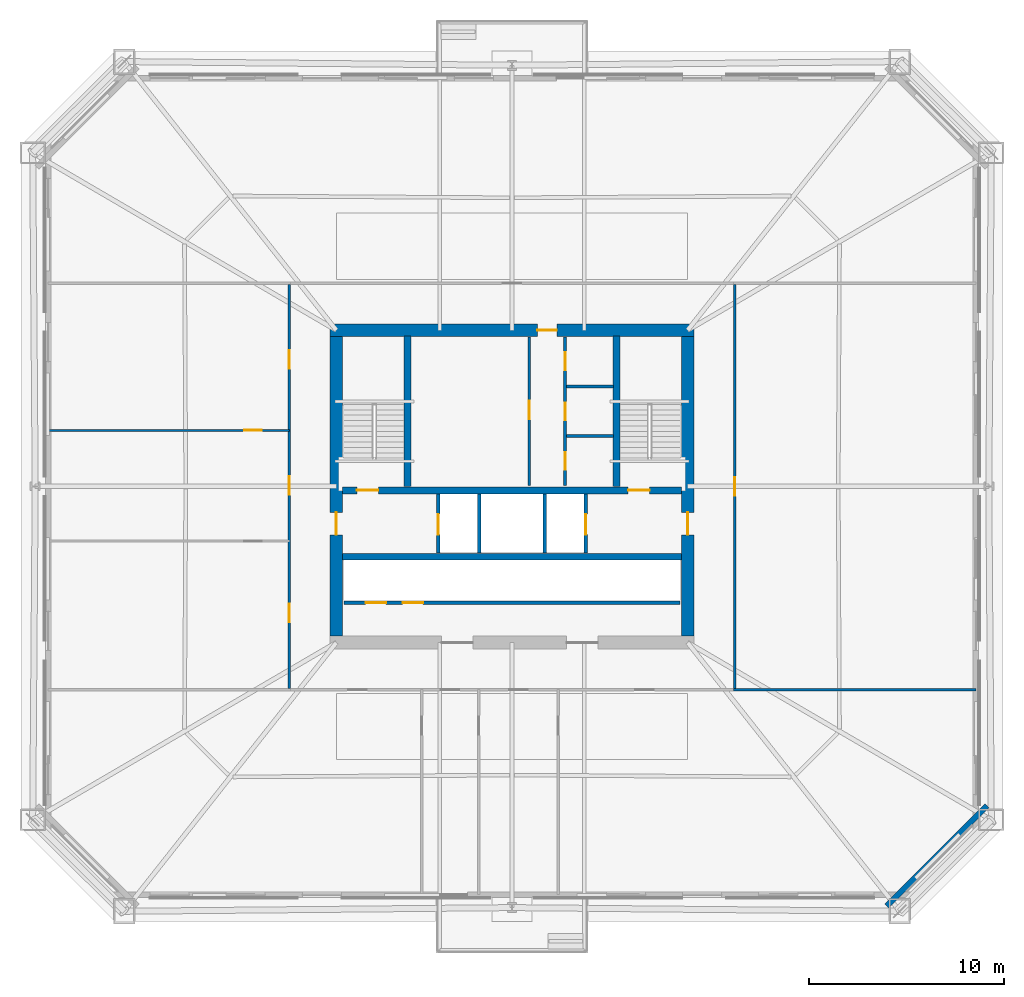
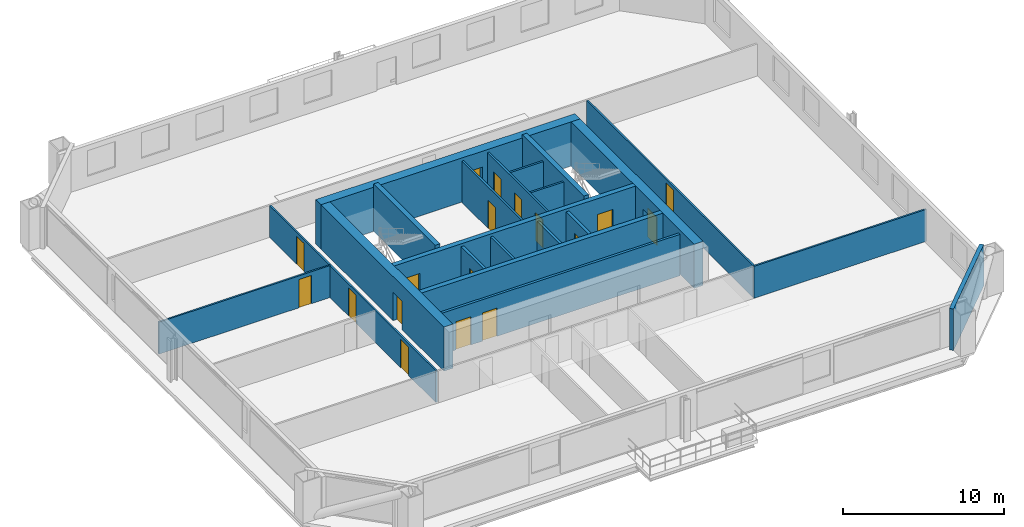
# One storey, part 4 of 8: 21 walls, 18 doors, 18 openings.
"""IFC4 building model written with IfcOpenShell, lengths in metres."""

from ifc_helpers import new_model, si_unit, direction, frame, frame_2d, origin, place, context, subcontext, project, spatial, rectangle, extrude, material, layer, layer_set, type_object, element, fill, save


model = new_model("IFC4")

# Units and contexts
model_context = context("Model", 3, precision=1e-05, world=origin(), true_north=direction((0.0, 1.0)))
body_context = subcontext(model_context, "Body", "Model", "MODEL_VIEW")
ifc_project = project(units=[si_unit("LENGTHUNIT", "METRE"), si_unit("AREAUNIT", "SQUARE_METRE"), si_unit("VOLUMEUNIT", "CUBIC_METRE"), si_unit("PLANEANGLEUNIT", "RADIAN"), si_unit("MASSUNIT", "GRAM", prefix="KILO")], contexts=[model_context])

# Site, building, storey
site_placement = place(None, origin())
site = spatial("IfcSite", under=ifc_project, at=site_placement, CompositionType="ELEMENT")
building_placement = place(site_placement, origin())
building = spatial("IfcBuilding", under=site, at=building_placement, Name="Caelvoria Tower", CompositionType="ELEMENT")
storey_placement = place(building_placement, frame((0.0, 0.0, 42.39990234375)))
storey = spatial("IfcBuildingStorey", under=building, at=storey_placement, Name="L10", CompositionType="ELEMENT", Elevation=42.39990234375)

# Wall, openings, doors
ifc_material_1 = material(Name="Concrete C50/60", Category="concrete")
ifc_layer_1 = layer(ifc_material_1, 0.35009765625, Name="Concrete C50/60")
ifc_layer_set_1 = layer_set([ifc_layer_1], Name="Core Internal Shear Wall 350 - Concrete C50/60")
wall_type_1 = type_object("IfcWallType", Name="Core Internal Shear Wall 350", PredefinedType="SHEAR", material=ifc_layer_set_1)
wall_1_placement = place(storey_placement, frame((37.324951171875, 31.800048828125, 0.0), z_axis=(0.0, 0.0, 1.0), x_axis=(1.0, 0.0, 0.0)))
wall_1 = element("IfcWall", 1, at=wall_1_placement, inside=storey, type_object=wall_type_1, Name="Core Shear Wall L10 M1", PredefinedType="SHEAR", context=body_context, shape_type="SweptSolid", body=[
    extrude(rectangle(XDim=17.35009765625, YDim=0.35009765625, at=frame_2d((8.675048828125, 0.0))), origin(), (0.0, 0.0, 1.0), 3.360107421875),
])
opening_1_placement = place(wall_1_placement, frame((0.72509765625, 0.0, 0.0)))
opening_1 = element("IfcOpeningElement", 2, at=opening_1_placement, cuts=wall_1, Name="Opening ID-01", PredefinedType="OPENING", context=body_context, shape_type="SweptSolid", body=[
    extrude(rectangle(XDim=1.10009765625, YDim=2.14990234375, at=frame_2d((0.550048828125, 1.074951171875))), frame((0.0, 0.18505859375, 0.0), z_axis=(0.0, -1.0, 0.0), x_axis=(1.0, 0.0, 0.0)), (0.0, 0.0, 1.0), 0.3701171875),
])
opening_2_placement = place(wall_1_placement, frame((14.625, 0.0, 0.0)))
opening_2 = element("IfcOpeningElement", 3, at=opening_2_placement, cuts=wall_1, Name="Opening ID-01", PredefinedType="OPENING", context=body_context, shape_type="SweptSolid", body=[
    extrude(rectangle(XDim=1.10009765625, YDim=2.14990234375, at=frame_2d((0.550048828125, 1.074951171875))), frame((0.0, 0.18505859375, 0.0), z_axis=(0.0, -1.0, 0.0), x_axis=(1.0, 0.0, 0.0)), (0.0, 0.0, 1.0), 0.3701171875),
])
ifc_material_2 = material(Name="Painted Hollow Steel Fire Door", Category="steel")
door_type_1 = type_object("IfcDoorType", Name="Fire Door FD90S 1100x2150", OperationType="NOTDEFINED", PredefinedType="DOOR", material=ifc_material_2)
door_1_placement = place(opening_1_placement, origin())
door_1 = element("IfcDoor", 4, at=door_1_placement, inside=storey, type_object=door_type_1, Name="Core Door DR-L10-ST1", OperationType="SINGLE_SWING_LEFT", OverallHeight=2.14990234375, OverallWidth=1.10009765625, PredefinedType="DOOR", context=body_context, shape_type="SweptSolid", body=[
    extrude(rectangle(XDim=1.10009765625, YDim=2.14990234375, at=frame_2d((0.550048828125, 1.074951171875))), frame((0.0, 0.02490234375, 0.0), z_axis=(0.0, -1.0, 0.0), x_axis=(1.0, 0.0, 0.0)), (0.0, 0.0, 1.0), 0.050048828125),
])
fill(opening_1, door_1)
door_2_placement = place(opening_2_placement, origin())
door_2 = element("IfcDoor", 5, at=door_2_placement, inside=storey, type_object=door_type_1, Name="Core Door DR-L10-ST2", OperationType="SINGLE_SWING_RIGHT", OverallHeight=2.14990234375, OverallWidth=1.10009765625, PredefinedType="DOOR", context=body_context, shape_type="SweptSolid", body=[
    extrude(rectangle(XDim=1.10009765625, YDim=2.14990234375, at=frame_2d((0.550048828125, 1.074951171875))), frame((0.0, 0.02490234375, 0.0), z_axis=(0.0, -1.0, 0.0), x_axis=(1.0, 0.0, 0.0)), (0.0, 0.0, 1.0), 0.050048828125),
])
fill(opening_2, door_2)

# Walls
wall_2_placement = place(storey_placement, frame((37.324951171875, 28.39990234375, 0.0), z_axis=(0.0, 0.0, 1.0), x_axis=(1.0, 0.0, 0.0)))
element("IfcWall", 6, at=wall_2_placement, inside=storey, type_object=wall_type_1, Name="Core Shear Wall L10 M2", PredefinedType="SHEAR", context=body_context, shape_type="SweptSolid", body=[
    extrude(rectangle(XDim=17.35009765625, YDim=0.35009765625, at=frame_2d((8.675048828125, 0.0))), origin(), (0.0, 0.0, 1.0), 3.360107421875),
])
for number, where, z_axis, x_axis, name in (
    (7, (40.64990234375, 32.0, 0.0), (0.0, 0.0, 1.0), (0.0, 1.0, 0.0), "Interior Partition IW-L10-ST1E"),
    (8, (51.35009765625, 32.0, 0.0), (0.0, 0.0, 1.0), (0.0, 1.0, 0.0), "Interior Partition IW-L10-ST2W"),
):
    element("IfcWall", number, at=place(storey_placement, frame(where, z_axis=z_axis, x_axis=x_axis)), inside=storey, type_object=wall_type_1, Name=name, PredefinedType="SHEAR", context=body_context, shape_type="SweptSolid", body=[
        extrude(rectangle(XDim=7.699951171875, YDim=0.35009765625, at=frame_2d((3.85009765625, 0.0))), origin(), (0.0, 0.0, 1.0), 3.60009765625),
    ])

# Wall, opening, door
ifc_material_3 = material(Name="Moisture-Resistant Gypsum on Steel Stud", Category="steel")
ifc_layer_2 = layer(ifc_material_3, 0.139892578125, Name="Moisture-Resistant Gypsum on Steel Stud")
ifc_layer_set_2 = layer_set([ifc_layer_2], Name="Core Sanitary Acoustic Partition Wall 140 - Moisture-Resistant Gypsum on Steel Stud")
wall_type_2 = type_object("IfcWallType", Name="Core Sanitary Acoustic Partition Wall 140", PredefinedType="PARTITIONING", material=ifc_layer_set_2)
wall_3_placement = place(storey_placement, frame((46.8798828125, 32.050048828125, 0.0), z_axis=(0.0, 0.0, 1.0), x_axis=(0.0, 1.0, 0.0)))
wall_3 = element("IfcWall", 9, at=wall_3_placement, inside=storey, type_object=wall_type_2, Name="Interior Partition IW-L10-C2L", PredefinedType="PARTITIONING", context=body_context, shape_type="SweptSolid", body=[
    extrude(rectangle(XDim=7.599853515625, YDim=0.139892578125, at=frame_2d((3.7998046875, 0.0))), origin(), (0.0, 0.0, 1.0), 3.150146484375),
])
opening_3_placement = place(wall_3_placement, frame((3.39990234375, 0.0, 0.0)))
opening_3 = element("IfcOpeningElement", 10, at=opening_3_placement, cuts=wall_3, Name="Opening ID-05", PredefinedType="OPENING", context=body_context, shape_type="SweptSolid", body=[
    extrude(rectangle(XDim=0.949951171875, YDim=2.14990234375, at=frame_2d((0.47509765625, 1.074951171875))), frame((0.0, 0.079833984375, 0.0), z_axis=(0.0, -1.0, 0.0), x_axis=(1.0, 0.0, 0.0)), (0.0, 0.0, 1.0), 0.159912109375),
])
ifc_material_4 = material(Name="Engineered Andean Oak Veneer Door", Category="wood")
door_type_2 = type_object("IfcDoorType", Name="Interior Timber Door 950x2150", OperationType="NOTDEFINED", PredefinedType="DOOR", material=ifc_material_4)
door_3_placement = place(opening_3_placement, origin())
door_3 = element("IfcDoor", 11, at=door_3_placement, inside=storey, type_object=door_type_2, Name="Interior Door DR-L10-C2W", OperationType="SINGLE_SWING_LEFT", OverallHeight=2.14990234375, OverallWidth=0.949951171875, PredefinedType="DOOR", context=body_context, shape_type="SweptSolid", body=[
    extrude(rectangle(XDim=0.949951171875, YDim=2.14990234375, at=frame_2d((0.47509765625, 1.074951171875))), frame((0.0, 0.02490234375, 0.0), z_axis=(0.0, -1.0, 0.0), x_axis=(1.0, 0.0, 0.0)), (0.0, 0.0, 1.0), 0.050048828125),
])
fill(opening_3, door_3)

# Wall, openings, doors
wall_4_placement = place(storey_placement, frame((48.719970703125, 32.050048828125, 0.0), z_axis=(0.0, 0.0, 1.0), x_axis=(0.0, 1.0, 0.0)))
wall_4 = element("IfcWall", 12, at=wall_4_placement, inside=storey, type_object=wall_type_2, Name="Interior Partition IW-L10-C2R", PredefinedType="PARTITIONING", context=body_context, shape_type="SweptSolid", body=[
    extrude(rectangle(XDim=7.599853515625, YDim=0.139892578125, at=frame_2d((3.7998046875, 0.0))), origin(), (0.0, 0.0, 1.0), 3.150146484375),
])
opening_4_placement = place(wall_4_placement, frame((0.800048828125, 0.0, 0.0)))
opening_4 = element("IfcOpeningElement", 13, at=opening_4_placement, cuts=wall_4, Name="Opening ID-04", PredefinedType="OPENING", context=body_context, shape_type="SweptSolid", body=[
    extrude(rectangle(XDim=0.89990234375, YDim=2.14990234375, at=frame_2d((0.449951171875, 1.074951171875))), frame((0.0, 0.079833984375, 0.0), z_axis=(0.0, -1.0, 0.0), x_axis=(1.0, 0.0, 0.0)), (0.0, 0.0, 1.0), 0.159912109375),
])
opening_5_placement = place(wall_4_placement, frame((3.35009765625, 0.0, 0.0)))
opening_5 = element("IfcOpeningElement", 14, at=opening_5_placement, cuts=wall_4, Name="Opening ID-06", PredefinedType="OPENING", context=body_context, shape_type="SweptSolid", body=[
    extrude(rectangle(XDim=0.89990234375, YDim=2.14990234375, at=frame_2d((0.449951171875, 1.074951171875))), frame((0.0, 0.079833984375, 0.0), z_axis=(0.0, -1.0, 0.0), x_axis=(1.0, 0.0, 0.0)), (0.0, 0.0, 1.0), 0.159912109375),
])
opening_6_placement = place(wall_4_placement, frame((5.89990234375, 0.0, 0.0)))
opening_6 = element("IfcOpeningElement", 15, at=opening_6_placement, cuts=wall_4, Name="Opening ID-07", PredefinedType="OPENING", context=body_context, shape_type="SweptSolid", body=[
    extrude(rectangle(XDim=0.919921875, YDim=2.14990234375, at=frame_2d((0.4599609375, 1.074951171875))), frame((0.0, 0.079833984375, 0.0), z_axis=(0.0, -1.0, 0.0), x_axis=(1.0, 0.0, 0.0)), (0.0, 0.0, 1.0), 0.159912109375),
])
ifc_material_5 = material(Name="Engineered Andean Oak Accessible Door", Category="wood")
door_type_3 = type_object("IfcDoorType", Name="Accessible WC Door 950x2150", OperationType="NOTDEFINED", PredefinedType="DOOR", material=ifc_material_5)
door_4_placement = place(opening_6_placement, origin())
door_4 = element("IfcDoor", 16, at=door_4_placement, inside=storey, type_object=door_type_3, Name="Interior Door DR-L10-C2E3", OperationType="SINGLE_SWING_RIGHT", OverallHeight=2.14990234375, OverallWidth=0.919921875, PredefinedType="DOOR", context=body_context, shape_type="SweptSolid", body=[
    extrude(rectangle(XDim=0.919921875, YDim=2.14990234375, at=frame_2d((0.4599609375, 1.074951171875))), frame((0.0, 0.02490234375, 0.0), z_axis=(0.0, -1.0, 0.0), x_axis=(1.0, 0.0, 0.0)), (0.0, 0.0, 1.0), 0.050048828125),
])
fill(opening_6, door_4)
ifc_material_6 = material(Name="Acoustic Timber Fire Door", Category="wood")
door_type_4 = type_object("IfcDoorType", Name="Fire Door FD30S 900x2150", OperationType="NOTDEFINED", PredefinedType="DOOR", material=ifc_material_6)
door_5_placement = place(opening_4_placement, origin())
door_5 = element("IfcDoor", 17, at=door_5_placement, inside=storey, type_object=door_type_4, Name="Interior Door DR-L10-C2E1", OperationType="SINGLE_SWING_RIGHT", OverallHeight=2.14990234375, OverallWidth=0.89990234375, PredefinedType="DOOR", context=body_context, shape_type="SweptSolid", body=[
    extrude(rectangle(XDim=0.89990234375, YDim=2.14990234375, at=frame_2d((0.449951171875, 1.074951171875))), frame((0.0, 0.02490234375, 0.0), z_axis=(0.0, -1.0, 0.0), x_axis=(1.0, 0.0, 0.0)), (0.0, 0.0, 1.0), 0.050048828125),
])
fill(opening_4, door_5)
door_type_5 = type_object("IfcDoorType", Name="Interior Timber Door 900x2150", OperationType="NOTDEFINED", PredefinedType="DOOR", material=ifc_material_4)
door_6_placement = place(opening_5_placement, origin())
door_6 = element("IfcDoor", 18, at=door_6_placement, inside=storey, type_object=door_type_5, Name="Interior Door DR-L10-C2E2", OperationType="SINGLE_SWING_LEFT", OverallHeight=2.14990234375, OverallWidth=0.89990234375, PredefinedType="DOOR", context=body_context, shape_type="SweptSolid", body=[
    extrude(rectangle(XDim=0.89990234375, YDim=2.14990234375, at=frame_2d((0.449951171875, 1.074951171875))), frame((0.0, 0.02490234375, 0.0), z_axis=(0.0, -1.0, 0.0), x_axis=(1.0, 0.0, 0.0)), (0.0, 0.0, 1.0), 0.050048828125),
])
fill(opening_5, door_6)

# Walls
for number, where, z_axis, x_axis, name in (
    (19, (48.800048828125, 34.580078125, 0.0), (0.0, 0.0, 1.0), (1.0, 0.0, 0.0), "Interior Partition IW-L10-C2H1"),
    (20, (48.800048828125, 37.1201171875, 0.0), (0.0, 0.0, 1.0), (1.0, 0.0, 0.0), "Interior Partition IW-L10-C2H2"),
):
    element("IfcWall", number, at=place(storey_placement, frame(where, z_axis=z_axis, x_axis=x_axis)), inside=storey, type_object=wall_type_2, Name=name, PredefinedType="PARTITIONING", context=body_context, shape_type="SweptSolid", body=[
        extrude(rectangle(XDim=2.39990234375, YDim=0.139892578125, at=frame_2d((1.199951171875, 0.0))), origin(), (0.0, 0.0, 1.0), 3.150146484375),
    ])
ifc_material_7 = material(Name="Precast Concrete C40/50 with Bronze Cladding", Category="concrete")
ifc_layer_3 = layer(ifc_material_7, 0.280029296875, Name="Precast Concrete C40/50 with Bronze Cladding")
ifc_layer_set_3 = layer_set([ifc_layer_3], Name="Exterior Precast Concrete C40/50 Bronze-Clad Facade Wall 280 - Precast Concrete C40/50 with Bronze Cladding")
wall_type_3 = type_object("IfcWallType", Name="Exterior Precast Concrete C40/50 Bronze-Clad Facade Wall 280", PredefinedType="STANDARD", material=ifc_layer_set_3)
wall_5_placement = place(storey_placement, frame((65.20458984375, 10.506103515625, 0.0), z_axis=(0.0, 0.0, 1.0), x_axis=(0.707106781187, 0.707106781187, 0.0)))
element("IfcWall", 21, at=wall_5_placement, inside=storey, type_object=wall_type_3, Name="Exterior Facade Wall L10-E1", PredefinedType="STANDARD", context=body_context, shape_type="SweptSolid", body=[
    extrude(rectangle(XDim=7.268310546875, YDim=0.280029296875, at=frame_2d((3.63427734375, 0.0))), origin(), (0.0, 0.0, 1.0), 3.150146484375),
])
ifc_material_8 = material(Name="Concrete Block and Fireboard Assembly", Category="concrete")
ifc_layer_4 = layer(ifc_material_8, 0.179931640625, Name="Concrete Block and Fireboard Assembly")
ifc_layer_set_4 = layer_set([ifc_layer_4], Name="Fire-Rated Hoistway Partition Wall 180 - Concrete Block and Fireboard Assembly")
wall_type_4 = type_object("IfcWallType", Name="Fire-Rated Hoistway Partition Wall 180", PredefinedType="PARTITIONING", material=ifc_layer_set_4)
for number, where, z_axis, x_axis, name in (
    (22, (44.320068359375, 28.580078125, 0.0), (0.0, 0.0, 1.0), (0.0, 1.0, 0.0), "Interior Partition IW-L10-SV1W"),
    (23, (47.679931640625, 28.580078125, 0.0), (0.0, 0.0, 1.0), (0.0, 1.0, 0.0), "Interior Partition IW-L10-SV1E"),
):
    element("IfcWall", number, at=place(storey_placement, frame(where, z_axis=z_axis, x_axis=x_axis)), inside=storey, type_object=wall_type_4, Name=name, PredefinedType="PARTITIONING", context=body_context, shape_type="SweptSolid", body=[
        extrude(rectangle(XDim=3.0400390625, YDim=0.179931640625, at=frame_2d((1.52001953125, 0.0))), origin(), (0.0, 0.0, 1.0), 3.150146484375),
    ])

# Wall, openings, doors
wall_6_placement = place(storey_placement, frame((37.39990234375, 26.050048828125, 0.0), z_axis=(0.0, 0.0, 1.0), x_axis=(1.0, 0.0, 0.0)))
wall_6 = element("IfcWall", 24, at=wall_6_placement, inside=storey, type_object=wall_type_4, Name="Interior Partition IW-L10-LFRONT", PredefinedType="PARTITIONING", context=body_context, shape_type="SweptSolid", body=[
    extrude(rectangle(XDim=17.2001953125, YDim=0.179931640625, at=frame_2d((8.60009765625, 0.0))), origin(), (0.0, 0.0, 1.0), 3.150146484375),
])
opening_7_placement = place(wall_6_placement, frame((1.10009765625, 0.0, 0.0)))
opening_7 = element("IfcOpeningElement", 25, at=opening_7_placement, cuts=wall_6, Name="Opening LD-01", PredefinedType="OPENING", context=body_context, shape_type="SweptSolid", body=[
    extrude(rectangle(XDim=1.050048828125, YDim=2.14990234375, at=frame_2d((0.52490234375, 1.074951171875))), frame((0.0, 0.099853515625, 0.0), z_axis=(0.0, -1.0, 0.0), x_axis=(1.0, 0.0, 0.0)), (0.0, 0.0, 1.0), 0.199951171875),
])
opening_8_placement = place(wall_6_placement, frame((3.0, 0.0, 0.0)))
opening_8 = element("IfcOpeningElement", 26, at=opening_8_placement, cuts=wall_6, Name="Opening LD-01", PredefinedType="OPENING", context=body_context, shape_type="SweptSolid", body=[
    extrude(rectangle(XDim=1.050048828125, YDim=2.14990234375, at=frame_2d((0.52490234375, 1.074951171875))), frame((0.0, 0.099853515625, 0.0), z_axis=(0.0, -1.0, 0.0), x_axis=(1.0, 0.0, 0.0)), (0.0, 0.0, 1.0), 0.199951171875),
])
ifc_material_9 = material(Name="Brushed Bronze Stainless Sliding Landing Door", Category="aluminium")
door_type_6 = type_object("IfcDoorType", Name="Lift Landing Sliding Door 1100x2150", OperationType="NOTDEFINED", PredefinedType="DOOR", material=ifc_material_9)
door_7_placement = place(opening_7_placement, origin())
door_7 = element("IfcDoor", 27, at=door_7_placement, inside=storey, type_object=door_type_6, Name="Interior Door LD-L10-PL1", OperationType="SLIDING_TO_LEFT", OverallHeight=2.14990234375, OverallWidth=1.050048828125, PredefinedType="DOOR", context=body_context, shape_type="SweptSolid", body=[
    extrude(rectangle(XDim=1.050048828125, YDim=2.14990234375, at=frame_2d((0.52490234375, 1.074951171875))), frame((0.0, 0.02490234375, 0.0), z_axis=(0.0, -1.0, 0.0), x_axis=(1.0, 0.0, 0.0)), (0.0, 0.0, 1.0), 0.050048828125),
])
fill(opening_7, door_7)
door_8_placement = place(opening_8_placement, origin())
door_8 = element("IfcDoor", 28, at=door_8_placement, inside=storey, type_object=door_type_6, Name="Interior Door LD-L10-PL2", OperationType="SLIDING_TO_RIGHT", OverallHeight=2.14990234375, OverallWidth=1.050048828125, PredefinedType="DOOR", context=body_context, shape_type="SweptSolid", body=[
    extrude(rectangle(XDim=1.050048828125, YDim=2.14990234375, at=frame_2d((0.52490234375, 1.074951171875))), frame((0.0, 0.02490234375, 0.0), z_axis=(0.0, -1.0, 0.0), x_axis=(1.0, 0.0, 0.0)), (0.0, 0.0, 1.0), 0.050048828125),
])
fill(opening_8, door_8)

# Wall, opening, door
ifc_layer_5 = layer(ifc_material_8, 0.199951171875, Name="Concrete Block and Fireboard Assembly")
ifc_layer_set_5 = layer_set([ifc_layer_5], Name="Fire-Rated Shaft and Core Partition Wall 200 - Concrete Block and Fireboard Assembly")
wall_type_5 = type_object("IfcWallType", Name="Fire-Rated Shaft and Core Partition Wall 200", PredefinedType="PARTITIONING", material=ifc_layer_set_5)
wall_7_placement = place(storey_placement, frame((42.219970703125, 28.580078125, 0.0), z_axis=(0.0, 0.0, 1.0), x_axis=(0.0, 1.0, 0.0)))
wall_7 = element("IfcWall", 29, at=wall_7_placement, inside=storey, type_object=wall_type_5, Name="Interior Partition IW-L10-LF1W", PredefinedType="PARTITIONING", context=body_context, shape_type="SweptSolid", body=[
    extrude(rectangle(XDim=3.0400390625, YDim=0.199951171875, at=frame_2d((1.52001953125, 0.0))), origin(), (0.0, 0.0, 1.0), 3.150146484375),
])
opening_9_placement = place(wall_7_placement, frame((0.949951171875, 0.0, 0.0)))
opening_9 = element("IfcOpeningElement", 30, at=opening_9_placement, cuts=wall_7, Name="Opening LD-01", PredefinedType="OPENING", context=body_context, shape_type="SweptSolid", body=[
    extrude(rectangle(XDim=1.050048828125, YDim=2.14990234375, at=frame_2d((0.52490234375, 1.074951171875))), frame((0.0, 0.10986328125, 0.0), z_axis=(0.0, -1.0, 0.0), x_axis=(1.0, 0.0, 0.0)), (0.0, 0.0, 1.0), 0.219970703125),
])
door_9_placement = place(opening_9_placement, origin())
door_9 = element("IfcDoor", 31, at=door_9_placement, inside=storey, type_object=door_type_6, Name="Interior Door LD-L10-LF1", OperationType="SLIDING_TO_LEFT", OverallHeight=2.14990234375, OverallWidth=1.050048828125, PredefinedType="DOOR", context=body_context, shape_type="SweptSolid", body=[
    extrude(rectangle(XDim=1.050048828125, YDim=2.14990234375, at=frame_2d((0.52490234375, 1.074951171875))), frame((0.0, 0.02490234375, 0.0), z_axis=(0.0, -1.0, 0.0), x_axis=(1.0, 0.0, 0.0)), (0.0, 0.0, 1.0), 0.050048828125),
])
fill(opening_9, door_9)

wall_8_placement = place(storey_placement, frame((49.780029296875, 28.580078125, 0.0), z_axis=(0.0, 0.0, 1.0), x_axis=(0.0, 1.0, 0.0)))
wall_8 = element("IfcWall", 32, at=wall_8_placement, inside=storey, type_object=wall_type_5, Name="Interior Partition IW-L10-LF2E", PredefinedType="PARTITIONING", context=body_context, shape_type="SweptSolid", body=[
    extrude(rectangle(XDim=3.0400390625, YDim=0.199951171875, at=frame_2d((1.52001953125, 0.0))), origin(), (0.0, 0.0, 1.0), 3.150146484375),
])
opening_10_placement = place(wall_8_placement, frame((0.949951171875, 0.0, 0.0)))
opening_10 = element("IfcOpeningElement", 33, at=opening_10_placement, cuts=wall_8, Name="Opening LD-01", PredefinedType="OPENING", context=body_context, shape_type="SweptSolid", body=[
    extrude(rectangle(XDim=1.050048828125, YDim=2.14990234375, at=frame_2d((0.52490234375, 1.074951171875))), frame((0.0, 0.10986328125, 0.0), z_axis=(0.0, -1.0, 0.0), x_axis=(1.0, 0.0, 0.0)), (0.0, 0.0, 1.0), 0.219970703125),
])
door_10_placement = place(opening_10_placement, origin())
door_10 = element("IfcDoor", 34, at=door_10_placement, inside=storey, type_object=door_type_6, Name="Interior Door LD-L10-LF2", OperationType="SLIDING_TO_RIGHT", OverallHeight=2.14990234375, OverallWidth=1.050048828125, PredefinedType="DOOR", context=body_context, shape_type="SweptSolid", body=[
    extrude(rectangle(XDim=1.050048828125, YDim=2.14990234375, at=frame_2d((0.52490234375, 1.074951171875))), frame((0.0, 0.02490234375, 0.0), z_axis=(0.0, -1.0, 0.0), x_axis=(1.0, 0.0, 0.0)), (0.0, 0.0, 1.0), 0.050048828125),
])
fill(opening_10, door_10)

ifc_material_10 = material(Name="Concrete C60/75", Category="concrete")
ifc_layer_6 = layer(ifc_material_10, 0.64990234375, Name="Concrete C60/75")
ifc_layer_set_6 = layer_set([ifc_layer_6], Name="Lower Core Shear Wall 650 - Concrete C60/75")
wall_type_6 = type_object("IfcWallType", Name="Lower Core Shear Wall 650", PredefinedType="SHEAR", material=ifc_layer_set_6)
wall_9_placement = place(storey_placement, frame((36.675048828125, 40.0, 0.0), z_axis=(0.0, 0.0, 1.0), x_axis=(1.0, 0.0, 0.0)))
wall_9 = element("IfcWall", 35, at=wall_9_placement, inside=storey, type_object=wall_type_6, Name="Core Shear Wall L10 N", PredefinedType="SHEAR", context=body_context, shape_type="SweptSolid", body=[
    extrude(rectangle(XDim=18.64990234375, YDim=0.64990234375, at=frame_2d((9.324951171875, 0.0))), origin(), (0.0, 0.0, 1.0), 3.360107421875),
])
opening_11_placement = place(wall_9_placement, frame((10.625, 0.0, 0.0)))
opening_11 = element("IfcOpeningElement", 36, at=opening_11_placement, cuts=wall_9, Name="Opening ID-03", PredefinedType="OPENING", context=body_context, shape_type="SweptSolid", body=[
    extrude(rectangle(XDim=1.0, YDim=2.14990234375, at=frame_2d((0.5, 1.074951171875))), frame((0.0, 0.3349609375, 0.0), z_axis=(0.0, -1.0, 0.0), x_axis=(1.0, 0.0, 0.0)), (0.0, 0.0, 1.0), 0.669921875),
])
door_type_7 = type_object("IfcDoorType", Name="Fire Door FD60S 1000x2150", OperationType="NOTDEFINED", PredefinedType="DOOR", material=ifc_material_2)
door_11_placement = place(opening_11_placement, origin())
door_11 = element("IfcDoor", 37, at=door_11_placement, inside=storey, type_object=door_type_7, Name="Core Door DR-L10-WC-MAIN", OperationType="SINGLE_SWING_RIGHT", OverallHeight=2.14990234375, OverallWidth=1.0, PredefinedType="DOOR", context=body_context, shape_type="SweptSolid", body=[
    extrude(rectangle(XDim=1.0, YDim=2.14990234375, at=frame_2d((0.5, 1.074951171875))), frame((0.0, 0.02490234375, 0.0), z_axis=(0.0, -1.0, 0.0), x_axis=(1.0, 0.0, 0.0)), (0.0, 0.0, 1.0), 0.050048828125),
])
fill(opening_11, door_11)

wall_10_placement = place(storey_placement, frame((37.0, 24.324951171875, 0.0), z_axis=(0.0, 0.0, 1.0), x_axis=(0.0, 1.0, 0.0)))
wall_10 = element("IfcWall", 38, at=wall_10_placement, inside=storey, type_object=wall_type_6, Name="Core Shear Wall L10 W", PredefinedType="SHEAR", context=body_context, shape_type="SweptSolid", body=[
    extrude(rectangle(XDim=15.35009765625, YDim=0.64990234375, at=frame_2d((7.675048828125, 0.0))), origin(), (0.0, 0.0, 1.0), 3.360107421875),
])
opening_12_placement = place(wall_10_placement, frame((5.199951171875, 0.0, 0.0)))
opening_12 = element("IfcOpeningElement", 39, at=opening_12_placement, cuts=wall_10, Name="Opening ID-02", PredefinedType="OPENING", context=body_context, shape_type="SweptSolid", body=[
    extrude(rectangle(XDim=1.14990234375, YDim=2.14990234375, at=frame_2d((0.574951171875, 1.074951171875))), frame((0.0, 0.3349609375, 0.0), z_axis=(0.0, -1.0, 0.0), x_axis=(1.0, 0.0, 0.0)), (0.0, 0.0, 1.0), 0.669921875),
])
door_type_8 = type_object("IfcDoorType", Name="Fire Door FD60S 1150x2150", OperationType="NOTDEFINED", PredefinedType="DOOR", material=ifc_material_2)
door_12_placement = place(opening_12_placement, origin())
door_12 = element("IfcDoor", 40, at=door_12_placement, inside=storey, type_object=door_type_8, Name="Core Door DR-L10-FFLW-OUT", OperationType="SINGLE_SWING_LEFT", OverallHeight=2.14990234375, OverallWidth=1.14990234375, PredefinedType="DOOR", context=body_context, shape_type="SweptSolid", body=[
    extrude(rectangle(XDim=1.14990234375, YDim=2.14990234375, at=frame_2d((0.574951171875, 1.074951171875))), frame((0.0, 0.02490234375, 0.0), z_axis=(0.0, -1.0, 0.0), x_axis=(1.0, 0.0, 0.0)), (0.0, 0.0, 1.0), 0.050048828125),
])
fill(opening_12, door_12)

wall_11_placement = place(storey_placement, frame((55.0, 24.324951171875, 0.0), z_axis=(0.0, 0.0, 1.0), x_axis=(0.0, 1.0, 0.0)))
wall_11 = element("IfcWall", 41, at=wall_11_placement, inside=storey, type_object=wall_type_6, Name="Core Shear Wall L10 E", PredefinedType="SHEAR", context=body_context, shape_type="SweptSolid", body=[
    extrude(rectangle(XDim=15.35009765625, YDim=0.64990234375, at=frame_2d((7.675048828125, 0.0))), origin(), (0.0, 0.0, 1.0), 3.360107421875),
])
opening_13_placement = place(wall_11_placement, frame((5.199951171875, 0.0, 0.0)))
opening_13 = element("IfcOpeningElement", 42, at=opening_13_placement, cuts=wall_11, Name="Opening ID-02", PredefinedType="OPENING", context=body_context, shape_type="SweptSolid", body=[
    extrude(rectangle(XDim=1.14990234375, YDim=2.14990234375, at=frame_2d((0.574951171875, 1.074951171875))), frame((0.0, 0.3349609375, 0.0), z_axis=(0.0, -1.0, 0.0), x_axis=(1.0, 0.0, 0.0)), (0.0, 0.0, 1.0), 0.669921875),
])
door_13_placement = place(opening_13_placement, origin())
door_13 = element("IfcDoor", 43, at=door_13_placement, inside=storey, type_object=door_type_8, Name="Core Door DR-L10-FFLE-OUT", OperationType="SINGLE_SWING_RIGHT", OverallHeight=2.14990234375, OverallWidth=1.14990234375, PredefinedType="DOOR", context=body_context, shape_type="SweptSolid", body=[
    extrude(rectangle(XDim=1.14990234375, YDim=2.14990234375, at=frame_2d((0.574951171875, 1.074951171875))), frame((0.0, 0.02490234375, 0.0), z_axis=(0.0, -1.0, 0.0), x_axis=(1.0, 0.0, 0.0)), (0.0, 0.0, 1.0), 0.050048828125),
])
fill(opening_13, door_13)

ifc_material_11 = material(Name="Acoustic Gypsum Board on Light-Gauge Stud", Category="gypsum")
ifc_layer_7 = layer(ifc_material_11, 0.1201171875, Name="Acoustic Gypsum Board on Light-Gauge Stud")
ifc_layer_set_7 = layer_set([ifc_layer_7], Name="Tenant Suite Acoustic Partition Wall 120 - Acoustic Gypsum Board on Light-Gauge Stud")
wall_type_7 = type_object("IfcWallType", Name="Tenant Suite Acoustic Partition Wall 120", PredefinedType="PARTITIONING", material=ifc_layer_set_7)
wall_12_placement = place(storey_placement, frame((34.590087890625, 34.87060546875, 0.0), z_axis=(0.0, 0.0, 1.0), x_axis=(-1.0, 0.0, 0.0)))
wall_12 = element("IfcWall", 44, at=wall_12_placement, inside=storey, type_object=wall_type_7, Name="Interior Partition IW-L10-WD-01-0", PredefinedType="PARTITIONING", context=body_context, shape_type="SweptSolid", body=[
    extrude(rectangle(XDim=12.360107421875, YDim=0.1201171875, at=frame_2d((6.18017578125, 0.0))), origin(), (0.0, 0.0, 1.0), 2.43017578125),
])
opening_14_placement = place(wall_12_placement, frame((1.39990234375, 0.0, 0.0)))
opening_14 = element("IfcOpeningElement", 45, at=opening_14_placement, cuts=wall_12, Name="Opening ID-06", PredefinedType="OPENING", context=body_context, shape_type="SweptSolid", body=[
    extrude(rectangle(XDim=0.89990234375, YDim=2.14990234375, at=frame_2d((0.449951171875, 1.074951171875))), frame((0.0, 0.070068359375, 0.0), z_axis=(0.0, -1.0, 0.0), x_axis=(1.0, 0.0, 0.0)), (0.0, 0.0, 1.0), 0.14013671875),
])
door_14_placement = place(opening_14_placement, origin())
door_14 = element("IfcDoor", 46, at=door_14_placement, inside=storey, type_object=door_type_5, Name="Interior Door DR-L10-WM-01-0", OperationType="SINGLE_SWING_LEFT", OverallHeight=2.14990234375, OverallWidth=0.89990234375, PredefinedType="DOOR", context=body_context, shape_type="SweptSolid", body=[
    extrude(rectangle(XDim=0.89990234375, YDim=2.14990234375, at=frame_2d((0.449951171875, 1.074951171875))), frame((0.0, 0.02490234375, 0.0), z_axis=(0.0, -1.0, 0.0), x_axis=(1.0, 0.0, 0.0)), (0.0, 0.0, 1.0), 0.050048828125),
])
fill(opening_14, door_14)

# Wall, openings, doors
wall_13_placement = place(storey_placement, frame((34.590087890625, 21.64990234375, 0.0), z_axis=(0.0, 0.0, 1.0), x_axis=(0.0, 1.0, 0.0)))
wall_13 = element("IfcWall", 47, at=wall_13_placement, inside=storey, type_object=wall_type_7, Name="Interior Partition IW-L10-WCW-0", PredefinedType="PARTITIONING", context=body_context, shape_type="SweptSolid", body=[
    extrude(rectangle(XDim=20.7001953125, YDim=0.1201171875, at=frame_2d((10.35009765625, 0.0))), origin(), (0.0, 0.0, 1.0), 2.43017578125),
])
opening_15_placement = place(wall_13_placement, frame((3.402099609375, 0.0, 0.0)))
opening_15 = element("IfcOpeningElement", 48, at=opening_15_placement, cuts=wall_13, Name="Opening ID-05", PredefinedType="OPENING", context=body_context, shape_type="SweptSolid", body=[
    extrude(rectangle(XDim=0.949951171875, YDim=2.14990234375, at=frame_2d((0.47509765625, 1.074951171875))), frame((0.0, 0.070068359375, 0.0), z_axis=(0.0, -1.0, 0.0), x_axis=(1.0, 0.0, 0.0)), (0.0, 0.0, 1.0), 0.14013671875),
])
opening_16_placement = place(wall_13_placement, frame((9.912353515625, 0.0, 0.0)))
opening_16 = element("IfcOpeningElement", 49, at=opening_16_placement, cuts=wall_13, Name="Opening ID-05", PredefinedType="OPENING", context=body_context, shape_type="SweptSolid", body=[
    extrude(rectangle(XDim=0.949951171875, YDim=2.14990234375, at=frame_2d((0.47509765625, 1.074951171875))), frame((0.0, 0.070068359375, 0.0), z_axis=(0.0, -1.0, 0.0), x_axis=(1.0, 0.0, 0.0)), (0.0, 0.0, 1.0), 0.14013671875),
])
opening_17_placement = place(wall_13_placement, frame((16.38525390625, 0.0, 0.0)))
opening_17 = element("IfcOpeningElement", 50, at=opening_17_placement, cuts=wall_13, Name="Opening ID-05", PredefinedType="OPENING", context=body_context, shape_type="SweptSolid", body=[
    extrude(rectangle(XDim=0.949951171875, YDim=2.14990234375, at=frame_2d((0.47509765625, 1.074951171875))), frame((0.0, 0.070068359375, 0.0), z_axis=(0.0, -1.0, 0.0), x_axis=(1.0, 0.0, 0.0)), (0.0, 0.0, 1.0), 0.14013671875),
])
door_15_placement = place(opening_15_placement, origin())
door_15 = element("IfcDoor", 51, at=door_15_placement, inside=storey, type_object=door_type_2, Name="Interior Door DR-L10-WC-00-0", OperationType="SINGLE_SWING_LEFT", OverallHeight=2.14990234375, OverallWidth=0.949951171875, PredefinedType="DOOR", context=body_context, shape_type="SweptSolid", body=[
    extrude(rectangle(XDim=0.949951171875, YDim=2.14990234375, at=frame_2d((0.47509765625, 1.074951171875))), frame((0.0, 0.02490234375, 0.0), z_axis=(0.0, -1.0, 0.0), x_axis=(1.0, 0.0, 0.0)), (0.0, 0.0, 1.0), 0.050048828125),
])
fill(opening_15, door_15)
door_16_placement = place(opening_16_placement, origin())
door_16 = element("IfcDoor", 52, at=door_16_placement, inside=storey, type_object=door_type_2, Name="Interior Door DR-L10-WC-01-0", OperationType="SINGLE_SWING_RIGHT", OverallHeight=2.14990234375, OverallWidth=0.949951171875, PredefinedType="DOOR", context=body_context, shape_type="SweptSolid", body=[
    extrude(rectangle(XDim=0.949951171875, YDim=2.14990234375, at=frame_2d((0.47509765625, 1.074951171875))), frame((0.0, 0.02490234375, 0.0), z_axis=(0.0, -1.0, 0.0), x_axis=(1.0, 0.0, 0.0)), (0.0, 0.0, 1.0), 0.050048828125),
])
fill(opening_16, door_16)
door_17_placement = place(opening_17_placement, origin())
door_17 = element("IfcDoor", 53, at=door_17_placement, inside=storey, type_object=door_type_2, Name="Interior Door DR-L10-WC-02-0", OperationType="SINGLE_SWING_LEFT", OverallHeight=2.14990234375, OverallWidth=0.949951171875, PredefinedType="DOOR", context=body_context, shape_type="SweptSolid", body=[
    extrude(rectangle(XDim=0.949951171875, YDim=2.14990234375, at=frame_2d((0.47509765625, 1.074951171875))), frame((0.0, 0.02490234375, 0.0), z_axis=(0.0, -1.0, 0.0), x_axis=(1.0, 0.0, 0.0)), (0.0, 0.0, 1.0), 0.050048828125),
])
fill(opening_17, door_17)

# Wall, opening, door
wall_14_placement = place(storey_placement, frame((57.409912109375, 21.64990234375, 0.0), z_axis=(0.0, 0.0, 1.0), x_axis=(0.0, 1.0, 0.0)))
wall_14 = element("IfcWall", 54, at=wall_14_placement, inside=storey, type_object=wall_type_7, Name="Interior Partition IW-L10-ECW-0", PredefinedType="PARTITIONING", context=body_context, shape_type="SweptSolid", body=[
    extrude(rectangle(XDim=20.7001953125, YDim=0.1201171875, at=frame_2d((10.35009765625, 0.0))), origin(), (0.0, 0.0, 1.0), 2.43017578125),
])
opening_18_placement = place(wall_14_placement, frame((9.875, 0.0, 0.0)))
opening_18 = element("IfcOpeningElement", 55, at=opening_18_placement, cuts=wall_14, Name="Opening ID-05", PredefinedType="OPENING", context=body_context, shape_type="SweptSolid", body=[
    extrude(rectangle(XDim=0.949951171875, YDim=2.14990234375, at=frame_2d((0.47509765625, 1.074951171875))), frame((0.0, 0.070068359375, 0.0), z_axis=(0.0, -1.0, 0.0), x_axis=(1.0, 0.0, 0.0)), (0.0, 0.0, 1.0), 0.14013671875),
])
door_18_placement = place(opening_18_placement, origin())
door_18 = element("IfcDoor", 56, at=door_18_placement, inside=storey, type_object=door_type_2, Name="Interior Door DR-L10-EC-00-0", OperationType="SINGLE_SWING_LEFT", OverallHeight=2.14990234375, OverallWidth=0.949951171875, PredefinedType="DOOR", context=body_context, shape_type="SweptSolid", body=[
    extrude(rectangle(XDim=0.949951171875, YDim=2.14990234375, at=frame_2d((0.47509765625, 1.074951171875))), frame((0.0, 0.02490234375, 0.0), z_axis=(0.0, -1.0, 0.0), x_axis=(1.0, 0.0, 0.0)), (0.0, 0.0, 1.0), 0.050048828125),
])
fill(opening_18, door_18)

# Wall
wall_15_placement = place(storey_placement, frame((57.35009765625, 21.590087890625, 0.0), z_axis=(0.0, 0.0, 1.0), x_axis=(1.0, 0.0, 0.0)))
element("IfcWall", 57, at=wall_15_placement, inside=storey, type_object=wall_type_7, Name="Interior Partition IW-L10-BSE-0", PredefinedType="PARTITIONING", context=body_context, shape_type="SweptSolid", body=[
    extrude(rectangle(XDim=12.419921875, YDim=0.1201171875, at=frame_2d((6.2099609375, 0.0))), origin(), (0.0, 0.0, 1.0), 2.43017578125),
])

save(model, "model.ifc")
